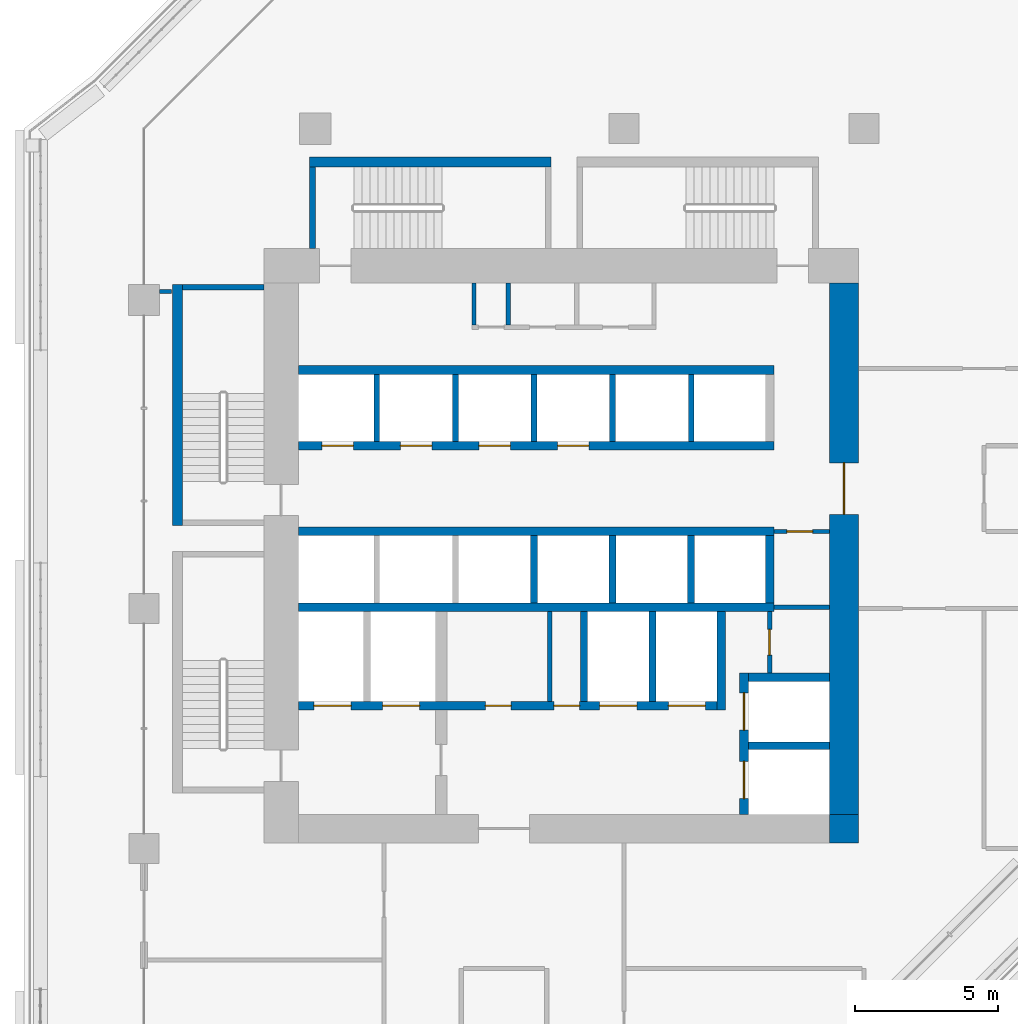
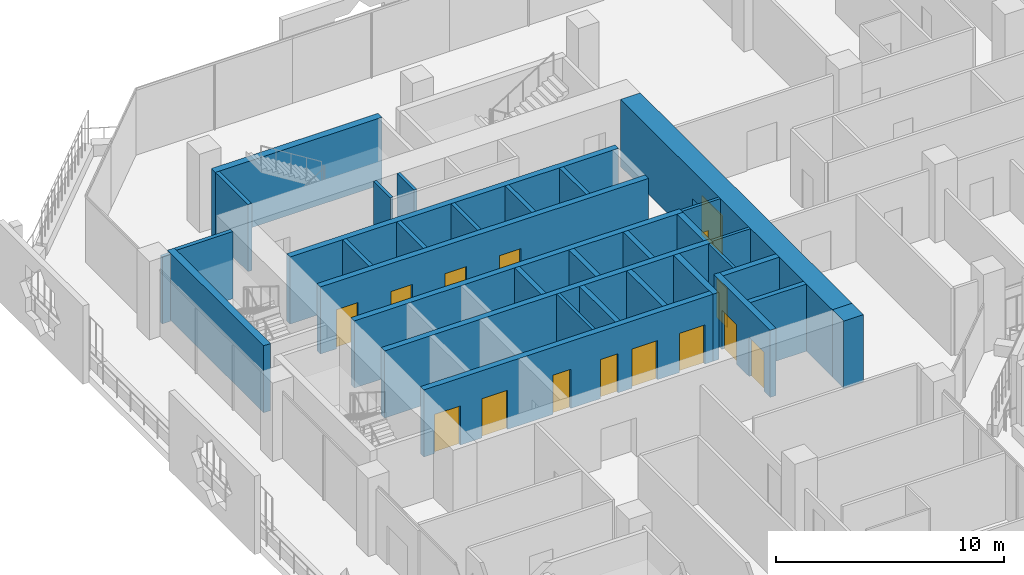
# One storey, part 14 of 25: 33 walls, 15 doors, 15 openings.
"""IFC4 building model written with IfcOpenShell, lengths in metres."""

from ifc_helpers import new_model, si_unit, direction, frame, frame_2d, origin, place, context, subcontext, project, spatial, rectangle, extrude, material, layer, layer_set, type_object, element, fill, save


model = new_model("IFC4")

# Units and contexts
model_context = context("Model", 3, precision=1e-05, world=origin(), true_north=direction((0.0, 1.0)))
body_context = subcontext(model_context, "Body", "Model", "MODEL_VIEW")
ifc_project = project(units=[si_unit("LENGTHUNIT", "METRE"), si_unit("AREAUNIT", "SQUARE_METRE"), si_unit("VOLUMEUNIT", "CUBIC_METRE"), si_unit("PLANEANGLEUNIT", "RADIAN"), si_unit("MASSUNIT", "GRAM", prefix="KILO")], contexts=[model_context])

# Site, building, storey
site_placement = place(None, origin())
site = spatial("IfcSite", under=ifc_project, at=site_placement, CompositionType="ELEMENT")
building_placement = place(site_placement, origin())
building = spatial("IfcBuilding", under=site, at=building_placement, Name="Kawkab Arch Medical Tower", CompositionType="ELEMENT")
storey_placement = place(building_placement, frame((0.0, 0.0, 136.60009765625)))
storey = spatial("IfcBuildingStorey", under=building, at=storey_placement, Name="L31", CompositionType="ELEMENT", Elevation=136.60009765625)

# Wall, opening, door
ifc_material_1 = material(Name="Concrete C60/75", Category="concrete")
ifc_layer_1 = layer(ifc_material_1, 1.0)
ifc_layer_set_1 = layer_set([ifc_layer_1], Name="Concrete C60/75")
wall_type_1 = type_object("IfcWallType", Name="Core ring wall 1000 C60/75", PredefinedType="SHEAR", material=ifc_layer_set_1)
wall_1_placement = place(storey_placement, frame((24.5, -24.0, 0.0), z_axis=(0.0, 0.0, 1.0), x_axis=(0.0, 1.0, 0.0)))
wall_1 = element("IfcWall", 1, at=wall_1_placement, inside=storey, type_object=wall_type_1, Name="L31 core wall", PredefinedType="SHEAR", context=body_context, shape_type="SweptSolid", body=[
    extrude(rectangle(XDim=18.60009765625, YDim=1.0, at=frame_2d((9.300048828125, 0.0))), origin(), (0.0, 0.0, 1.0), 3.599853515625),
])
opening_1_placement = place(wall_1_placement, frame((10.5, 0.0, 0.0)))
opening_1 = element("IfcOpeningElement", 2, at=opening_1_placement, cuts=wall_1, Name="Opening PD", PredefinedType="OPENING", context=body_context, shape_type="SweptSolid", body=[
    extrude(rectangle(XDim=1.800048828125, YDim=2.10009765625, at=frame_2d((0.89990234375, 1.050048828125))), frame((0.0, 0.510009765625, 0.0), z_axis=(0.0, -1.0, 0.0), x_axis=(1.0, 0.0, 0.0)), (0.0, 0.0, 1.0), 1.02001953125),
])
ifc_material_2 = material(Name="Hollow metal fire door leaf")
door_type_1 = type_object("IfcDoorType", Name="Core entrance doors 1800", OperationType="DOUBLE_DOOR_SINGLE_SWING", PredefinedType="DOOR", material=ifc_material_2)
door_1_placement = place(opening_1_placement, origin())
door_1 = element("IfcDoor", 3, at=door_1_placement, inside=storey, type_object=door_type_1, Name="L31 East entrance doors", OperationType="DOUBLE_DOOR_SINGLE_SWING", OverallHeight=2.10009765625, OverallWidth=1.800048828125, PredefinedType="DOOR", context=body_context, shape_type="SweptSolid", body=[
    extrude(rectangle(XDim=1.800048828125, YDim=2.10009765625, at=frame_2d((0.89990234375, 1.050048828125))), frame((0.0, 0.02490234375, 0.0), z_axis=(0.0, -1.0, 0.0), x_axis=(1.0, 0.0, 0.0)), (0.0, 0.0, 1.0), 0.050048828125),
])
fill(opening_1, door_1)

# Wall
wall_2_placement = place(storey_placement, frame((24.5, -25.0, 0.0), z_axis=(0.0, 0.0, 1.0), x_axis=(0.0, 1.0, 0.0)))
element("IfcWall", 4, at=wall_2_placement, inside=storey, type_object=wall_type_1, Name="L31 core wall", PredefinedType="SHEAR", context=body_context, shape_type="SweptSolid", body=[
    extrude(rectangle(XDim=1.0, YDim=1.0, at=frame_2d((0.5, 0.0))), origin(), (0.0, 0.0, 1.0), 3.599853515625),
])

# Wall, opening, door
ifc_material_3 = material(Name="Gypsum board on steel studs", Category="steel")
ifc_layer_2 = layer(ifc_material_3, 0.14990234375)
ifc_layer_set_2 = layer_set([ifc_layer_2], Name="Gypsum board on steel studs")
wall_type_2 = type_object("IfcWallType", Name="Core room partition 150", PredefinedType="PARTITIONING", material=ifc_layer_set_2)
wall_3_placement = place(storey_placement, frame((21.89990234375, -19.050048828125, 0.0), z_axis=(0.0, 0.0, 1.0), x_axis=(0.0, 1.0, 0.0)))
wall_3 = element("IfcWall", 5, at=wall_3_placement, inside=storey, type_object=wall_type_2, Name="L31 core room partition", PredefinedType="PARTITIONING", context=body_context, shape_type="SweptSolid", body=[
    extrude(rectangle(XDim=2.150146484375, YDim=0.14990234375, at=frame_2d((1.0751953125, 0.0))), origin(), (0.0, 0.0, 1.0), 3.599853515625),
])
opening_2_placement = place(wall_3_placement, frame((0.625, 0.0, 0.0)))
opening_2 = element("IfcOpeningElement", 6, at=opening_2_placement, cuts=wall_3, Name="Opening RD", PredefinedType="OPENING", context=body_context, shape_type="SweptSolid", body=[
    extrude(rectangle(XDim=0.89990234375, YDim=2.10009765625, at=frame_2d((0.449951171875, 1.050048828125))), frame((0.0, 0.0849609375, 0.0), z_axis=(0.0, -1.0, 0.0), x_axis=(1.0, 0.0, 0.0)), (0.0, 0.0, 1.0), 0.169921875),
])
ifc_material_4 = material(Name="Hollow metal fire door leaf")
door_type_2 = type_object("IfcDoorType", Name="Core room door 900", OperationType="SINGLE_SWING_LEFT", PredefinedType="DOOR", material=ifc_material_4)
door_2_placement = place(opening_2_placement, origin())
door_2 = element("IfcDoor", 7, at=door_2_placement, inside=storey, type_object=door_type_2, Name="L31 Accessible WC door", OperationType="SINGLE_SWING_LEFT", OverallHeight=2.10009765625, OverallWidth=0.89990234375, PredefinedType="DOOR", context=body_context, shape_type="SweptSolid", body=[
    extrude(rectangle(XDim=0.89990234375, YDim=2.10009765625, at=frame_2d((0.449951171875, 1.050048828125))), frame((0.0, 0.02490234375, 0.0), z_axis=(0.0, -1.0, 0.0), x_axis=(1.0, 0.0, 0.0)), (0.0, 0.0, 1.0), 0.050048828125),
])
fill(opening_2, door_2)

# Wall
wall_4_placement = place(storey_placement, frame((22.050048828125, -16.75, 0.0), z_axis=(0.0, 0.0, 1.0), x_axis=(1.0, 0.0, 0.0)))
element("IfcWall", 8, at=wall_4_placement, inside=storey, type_object=wall_type_2, Name="L31 core room partition", PredefinedType="PARTITIONING", context=body_context, shape_type="SweptSolid", body=[
    extrude(rectangle(XDim=1.949951171875, YDim=0.14990234375, at=frame_2d((0.97509765625, 0.0))), origin(), (0.0, 0.0, 1.0), 3.599853515625),
])

# Wall, opening, door
wall_5_placement = place(storey_placement, frame((22.050048828125, -14.10009765625, 0.0), z_axis=(0.0, 0.0, 1.0), x_axis=(1.0, 0.0, 0.0)))
wall_5 = element("IfcWall", 9, at=wall_5_placement, inside=storey, type_object=wall_type_2, Name="L31 core room partition", PredefinedType="PARTITIONING", context=body_context, shape_type="SweptSolid", body=[
    extrude(rectangle(XDim=1.949951171875, YDim=0.14990234375, at=frame_2d((0.97509765625, 0.0))), origin(), (0.0, 0.0, 1.0), 3.599853515625),
])
opening_3_placement = place(wall_5_placement, frame((0.449951171875, 0.0, 0.0)))
opening_3 = element("IfcOpeningElement", 10, at=opening_3_placement, cuts=wall_5, Name="Opening RD", PredefinedType="OPENING", context=body_context, shape_type="SweptSolid", body=[
    extrude(rectangle(XDim=0.89990234375, YDim=2.10009765625, at=frame_2d((0.449951171875, 1.050048828125))), frame((0.0, 0.0849609375, 0.0), z_axis=(0.0, -1.0, 0.0), x_axis=(1.0, 0.0, 0.0)), (0.0, 0.0, 1.0), 0.169921875),
])
door_3_placement = place(opening_3_placement, origin())
door_3 = element("IfcDoor", 11, at=door_3_placement, inside=storey, type_object=door_type_2, Name="L31 Comms room door", OperationType="SINGLE_SWING_LEFT", OverallHeight=2.10009765625, OverallWidth=0.89990234375, PredefinedType="DOOR", context=body_context, shape_type="SweptSolid", body=[
    extrude(rectangle(XDim=0.89990234375, YDim=2.10009765625, at=frame_2d((0.449951171875, 1.050048828125))), frame((0.0, 0.02490234375, 0.0), z_axis=(0.0, -1.0, 0.0), x_axis=(1.0, 0.0, 0.0)), (0.0, 0.0, 1.0), 0.050048828125),
])
fill(opening_3, door_3)

# Walls
for number, where, z_axis, x_axis, name in (
    (12, (11.550048828125, -6.875, 0.0), (0.0, 0.0, 1.0), (0.0, 1.0, 0.0), "L31 core room partition"),
    (13, (12.75, -6.875, 0.0), (0.0, 0.0, 1.0), (0.0, 1.0, 0.0), "L31 core room partition"),
):
    element("IfcWall", number, at=place(storey_placement, frame(where, z_axis=z_axis, x_axis=x_axis)), inside=storey, type_object=wall_type_2, Name=name, PredefinedType="PARTITIONING", context=body_context, shape_type="SweptSolid", body=[
        extrude(rectangle(XDim=1.47509765625, YDim=0.14990234375, at=frame_2d((0.737548828125, 0.0))), origin(), (0.0, 0.0, 1.0), 3.599853515625),
    ])
wall_6_placement = place(storey_placement, frame((14.199951171875, -20.050048828125, 0.0), z_axis=(0.0, 0.0, 1.0), x_axis=(0.0, 1.0, 0.0)))
element("IfcWall", 14, at=wall_6_placement, inside=storey, type_object=wall_type_2, Name="L31 core room partition", PredefinedType="PARTITIONING", context=body_context, shape_type="SweptSolid", body=[
    extrude(rectangle(XDim=3.150146484375, YDim=0.14990234375, at=frame_2d((1.5751953125, 0.0))), origin(), (0.0, 0.0, 1.0), 3.599853515625),
])
ifc_material_5 = material(Name="Concrete C60/75", Category="concrete")
ifc_layer_3 = layer(ifc_material_5, 0.25)
ifc_layer_set_3 = layer_set([ifc_layer_3], Name="Concrete C60/75")
wall_type_3 = type_object("IfcWallType", Name="Core shear wall 250 C60/75", PredefinedType="SHEAR", material=ifc_layer_set_3)
wall_7_placement = place(storey_placement, frame((21.14990234375, -21.60009765625, 0.0), z_axis=(0.0, 0.0, 1.0), x_axis=(1.0, 0.0, 0.0)))
element("IfcWall", 15, at=wall_7_placement, inside=storey, type_object=wall_type_3, Name="L31 core shear wall", PredefinedType="SHEAR", context=body_context, shape_type="SweptSolid", body=[
    extrude(rectangle(XDim=2.85009765625, YDim=0.25, at=frame_2d((1.425048828125, 0.0))), origin(), (0.0, 0.0, 1.0), 3.599853515625),
])
for number, where, z_axis, x_axis, name in (
    (16, (15.39990234375, -20.050048828125, 0.0), (0.0, 0.0, 1.0), (0.0, 1.0, 0.0), "L31 core shear wall"),
    (17, (17.800048828125, -20.050048828125, 0.0), (0.0, 0.0, 1.0), (0.0, 1.0, 0.0), "L31 core shear wall"),
):
    element("IfcWall", number, at=place(storey_placement, frame(where, z_axis=z_axis, x_axis=x_axis)), inside=storey, type_object=wall_type_3, Name=name, PredefinedType="SHEAR", context=body_context, shape_type="SweptSolid", body=[
        extrude(rectangle(XDim=3.150146484375, YDim=0.25, at=frame_2d((1.5751953125, 0.0))), origin(), (0.0, 0.0, 1.0), 3.599853515625),
    ])
for number, where, z_axis, x_axis, name in (
    (18, (13.64990234375, -16.60009765625, 0.0), (0.0, 0.0, 1.0), (0.0, 1.0, 0.0), "L31 core shear wall"),
    (19, (16.39990234375, -16.60009765625, 0.0), (0.0, 0.0, 1.0), (0.0, 1.0, 0.0), "L31 core shear wall"),
    (20, (19.14990234375, -16.60009765625, 0.0), (0.0, 0.0, 1.0), (0.0, 1.0, 0.0), "L31 core shear wall"),
):
    element("IfcWall", number, at=place(storey_placement, frame(where, z_axis=z_axis, x_axis=x_axis)), inside=storey, type_object=wall_type_3, Name=name, PredefinedType="SHEAR", context=body_context, shape_type="SweptSolid", body=[
        extrude(rectangle(XDim=2.35009765625, YDim=0.25, at=frame_2d((1.175048828125, 0.0))), origin(), (0.0, 0.0, 1.0), 3.599853515625),
    ])
ifc_material_6 = material(Name="Concrete C60/75", Category="concrete")
ifc_layer_4 = layer(ifc_material_6, 0.300048828125)
ifc_layer_set_4 = layer_set([ifc_layer_4], Name="Concrete C60/75")
wall_type_4 = type_object("IfcWallType", Name="Core shear wall 300 C60/75", PredefinedType="SHEAR", material=ifc_layer_set_4)
wall_8_placement = place(storey_placement, frame((5.39990234375, -8.449951171875, 0.0), z_axis=(0.0, 0.0, 1.0), x_axis=(1.0, 0.0, 0.0)))
element("IfcWall", 21, at=wall_8_placement, inside=storey, type_object=wall_type_4, Name="L31 core shear wall", PredefinedType="SHEAR", context=body_context, shape_type="SweptSolid", body=[
    extrude(rectangle(XDim=16.650146484375, YDim=0.300048828125, at=frame_2d((8.3251953125, 0.0))), origin(), (0.0, 0.0, 1.0), 3.599853515625),
])

# Wall, openings, doors
wall_9_placement = place(storey_placement, frame((5.39990234375, -11.10009765625, 0.0), z_axis=(0.0, 0.0, 1.0), x_axis=(1.0, 0.0, 0.0)))
wall_9 = element("IfcWall", 22, at=wall_9_placement, inside=storey, type_object=wall_type_4, Name="L31 core shear wall", PredefinedType="SHEAR", context=body_context, shape_type="SweptSolid", body=[
    extrude(rectangle(XDim=16.650146484375, YDim=0.300048828125, at=frame_2d((8.3251953125, 0.0))), origin(), (0.0, 0.0, 1.0), 3.599853515625),
])
opening_4_placement = place(wall_9_placement, frame((0.824951171875, 0.0, 0.0)))
opening_4 = element("IfcOpeningElement", 23, at=opening_4_placement, cuts=wall_9, Name="Opening LD1", PredefinedType="OPENING", context=body_context, shape_type="SweptSolid", body=[
    extrude(rectangle(XDim=1.10009765625, YDim=2.10009765625, at=frame_2d((0.550048828125, 1.050048828125))), frame((0.0, 0.159912109375, 0.0), z_axis=(0.0, -1.0, 0.0), x_axis=(1.0, 0.0, 0.0)), (0.0, 0.0, 1.0), 0.320068359375),
])
opening_5_placement = place(wall_9_placement, frame((3.574951171875, 0.0, 0.0)))
opening_5 = element("IfcOpeningElement", 24, at=opening_5_placement, cuts=wall_9, Name="Opening LD1", PredefinedType="OPENING", context=body_context, shape_type="SweptSolid", body=[
    extrude(rectangle(XDim=1.10009765625, YDim=2.10009765625, at=frame_2d((0.550048828125, 1.050048828125))), frame((0.0, 0.159912109375, 0.0), z_axis=(0.0, -1.0, 0.0), x_axis=(1.0, 0.0, 0.0)), (0.0, 0.0, 1.0), 0.320068359375),
])
opening_6_placement = place(wall_9_placement, frame((6.324951171875, 0.0, 0.0)))
opening_6 = element("IfcOpeningElement", 25, at=opening_6_placement, cuts=wall_9, Name="Opening LD1", PredefinedType="OPENING", context=body_context, shape_type="SweptSolid", body=[
    extrude(rectangle(XDim=1.10009765625, YDim=2.10009765625, at=frame_2d((0.550048828125, 1.050048828125))), frame((0.0, 0.159912109375, 0.0), z_axis=(0.0, -1.0, 0.0), x_axis=(1.0, 0.0, 0.0)), (0.0, 0.0, 1.0), 0.320068359375),
])
opening_7_placement = place(wall_9_placement, frame((9.074951171875, 0.0, 0.0)))
opening_7 = element("IfcOpeningElement", 26, at=opening_7_placement, cuts=wall_9, Name="Opening LD1", PredefinedType="OPENING", context=body_context, shape_type="SweptSolid", body=[
    extrude(rectangle(XDim=1.10009765625, YDim=2.10009765625, at=frame_2d((0.550048828125, 1.050048828125))), frame((0.0, 0.159912109375, 0.0), z_axis=(0.0, -1.0, 0.0), x_axis=(1.0, 0.0, 0.0)), (0.0, 0.0, 1.0), 0.320068359375),
])
ifc_material_7 = material(Name="Stainless steel lift door leaf", Category="steel")
door_type_3 = type_object("IfcDoorType", Name="Lift landing door 1100", OperationType="DOUBLE_DOOR_SLIDING", PredefinedType="DOOR", material=ifc_material_7)
door_4_placement = place(opening_4_placement, origin())
door_4 = element("IfcDoor", 27, at=door_4_placement, inside=storey, type_object=door_type_3, Name="L31 Lift landing door LP1", OperationType="DOUBLE_DOOR_SLIDING", OverallHeight=2.10009765625, OverallWidth=1.10009765625, PredefinedType="DOOR", context=body_context, shape_type="SweptSolid", body=[
    extrude(rectangle(XDim=1.10009765625, YDim=2.10009765625, at=frame_2d((0.550048828125, 1.050048828125))), frame((0.0, 0.02490234375, 0.0), z_axis=(0.0, -1.0, 0.0), x_axis=(1.0, 0.0, 0.0)), (0.0, 0.0, 1.0), 0.050048828125),
])
fill(opening_4, door_4)
door_5_placement = place(opening_5_placement, origin())
door_5 = element("IfcDoor", 28, at=door_5_placement, inside=storey, type_object=door_type_3, Name="L31 Lift landing door LP2", OperationType="DOUBLE_DOOR_SLIDING", OverallHeight=2.10009765625, OverallWidth=1.10009765625, PredefinedType="DOOR", context=body_context, shape_type="SweptSolid", body=[
    extrude(rectangle(XDim=1.10009765625, YDim=2.10009765625, at=frame_2d((0.550048828125, 1.050048828125))), frame((0.0, 0.02490234375, 0.0), z_axis=(0.0, -1.0, 0.0), x_axis=(1.0, 0.0, 0.0)), (0.0, 0.0, 1.0), 0.050048828125),
])
fill(opening_5, door_5)
door_6_placement = place(opening_6_placement, origin())
door_6 = element("IfcDoor", 29, at=door_6_placement, inside=storey, type_object=door_type_3, Name="L31 Lift landing door LP3", OperationType="DOUBLE_DOOR_SLIDING", OverallHeight=2.10009765625, OverallWidth=1.10009765625, PredefinedType="DOOR", context=body_context, shape_type="SweptSolid", body=[
    extrude(rectangle(XDim=1.10009765625, YDim=2.10009765625, at=frame_2d((0.550048828125, 1.050048828125))), frame((0.0, 0.02490234375, 0.0), z_axis=(0.0, -1.0, 0.0), x_axis=(1.0, 0.0, 0.0)), (0.0, 0.0, 1.0), 0.050048828125),
])
fill(opening_6, door_6)
door_7_placement = place(opening_7_placement, origin())
door_7 = element("IfcDoor", 30, at=door_7_placement, inside=storey, type_object=door_type_3, Name="L31 Lift landing door LP4", OperationType="DOUBLE_DOOR_SLIDING", OverallHeight=2.10009765625, OverallWidth=1.10009765625, PredefinedType="DOOR", context=body_context, shape_type="SweptSolid", body=[
    extrude(rectangle(XDim=1.10009765625, YDim=2.10009765625, at=frame_2d((0.550048828125, 1.050048828125))), frame((0.0, 0.02490234375, 0.0), z_axis=(0.0, -1.0, 0.0), x_axis=(1.0, 0.0, 0.0)), (0.0, 0.0, 1.0), 0.050048828125),
])
fill(opening_7, door_7)

# Walls
for number, where, z_axis, x_axis, name in (
    (31, (5.39990234375, -14.10009765625, 0.0), (0.0, 0.0, 1.0), (1.0, 0.0, 0.0), "L31 core shear wall"),
    (32, (5.39990234375, -16.75, 0.0), (0.0, 0.0, 1.0), (1.0, 0.0, 0.0), "L31 core shear wall"),
):
    element("IfcWall", number, at=place(storey_placement, frame(where, z_axis=z_axis, x_axis=x_axis)), inside=storey, type_object=wall_type_4, Name=name, PredefinedType="SHEAR", context=body_context, shape_type="SweptSolid", body=[
        extrude(rectangle(XDim=16.650146484375, YDim=0.300048828125, at=frame_2d((8.3251953125, 0.0))), origin(), (0.0, 0.0, 1.0), 3.599853515625),
    ])

# Wall, openings, doors
wall_10_placement = place(storey_placement, frame((5.39990234375, -20.199951171875, 0.0), z_axis=(0.0, 0.0, 1.0), x_axis=(1.0, 0.0, 0.0)))
wall_10 = element("IfcWall", 33, at=wall_10_placement, inside=storey, type_object=wall_type_4, Name="L31 core shear wall", PredefinedType="SHEAR", context=body_context, shape_type="SweptSolid", body=[
    extrude(rectangle(XDim=14.650146484375, YDim=0.300048828125, at=frame_2d((7.3251953125, 0.0))), origin(), (0.0, 0.0, 1.0), 3.599853515625),
])
opening_8_placement = place(wall_10_placement, frame((10.550048828125, 0.0, 0.0)))
opening_8 = element("IfcOpeningElement", 34, at=opening_8_placement, cuts=wall_10, Name="Opening LD2", PredefinedType="OPENING", context=body_context, shape_type="SweptSolid", body=[
    extrude(rectangle(XDim=1.300048828125, YDim=2.10009765625, at=frame_2d((0.64990234375, 1.050048828125))), frame((0.0, 0.159912109375, 0.0), z_axis=(0.0, -1.0, 0.0), x_axis=(1.0, 0.0, 0.0)), (0.0, 0.0, 1.0), 0.320068359375),
])
opening_9_placement = place(wall_10_placement, frame((12.949951171875, 0.0, 0.0)))
opening_9 = element("IfcOpeningElement", 35, at=opening_9_placement, cuts=wall_10, Name="Opening LD2", PredefinedType="OPENING", context=body_context, shape_type="SweptSolid", body=[
    extrude(rectangle(XDim=1.300048828125, YDim=2.10009765625, at=frame_2d((0.64990234375, 1.050048828125))), frame((0.0, 0.159912109375, 0.0), z_axis=(0.0, -1.0, 0.0), x_axis=(1.0, 0.0, 0.0)), (0.0, 0.0, 1.0), 0.320068359375),
])
opening_10_placement = place(wall_10_placement, frame((0.550048828125, 0.0, 0.0)))
opening_10 = element("IfcOpeningElement", 36, at=opening_10_placement, cuts=wall_10, Name="Opening LD2", PredefinedType="OPENING", context=body_context, shape_type="SweptSolid", body=[
    extrude(rectangle(XDim=1.300048828125, YDim=2.10009765625, at=frame_2d((0.64990234375, 1.050048828125))), frame((0.0, 0.159912109375, 0.0), z_axis=(0.0, -1.0, 0.0), x_axis=(1.0, 0.0, 0.0)), (0.0, 0.0, 1.0), 0.320068359375),
])
opening_11_placement = place(wall_10_placement, frame((2.949951171875, 0.0, 0.0)))
opening_11 = element("IfcOpeningElement", 37, at=opening_11_placement, cuts=wall_10, Name="Opening LD2", PredefinedType="OPENING", context=body_context, shape_type="SweptSolid", body=[
    extrude(rectangle(XDim=1.300048828125, YDim=2.10009765625, at=frame_2d((0.64990234375, 1.050048828125))), frame((0.0, 0.159912109375, 0.0), z_axis=(0.0, -1.0, 0.0), x_axis=(1.0, 0.0, 0.0)), (0.0, 0.0, 1.0), 0.320068359375),
])
opening_12_placement = place(wall_10_placement, frame((6.550048828125, 0.0, 0.0)))
opening_12 = element("IfcOpeningElement", 38, at=opening_12_placement, cuts=wall_10, Name="Opening RD", PredefinedType="OPENING", context=body_context, shape_type="SweptSolid", body=[
    extrude(rectangle(XDim=0.89990234375, YDim=2.10009765625, at=frame_2d((0.449951171875, 1.050048828125))), frame((0.0, 0.159912109375, 0.0), z_axis=(0.0, -1.0, 0.0), x_axis=(1.0, 0.0, 0.0)), (0.0, 0.0, 1.0), 0.320068359375),
])
opening_13_placement = place(wall_10_placement, frame((8.949951171875, 0.0, 0.0)))
opening_13 = element("IfcOpeningElement", 39, at=opening_13_placement, cuts=wall_10, Name="Opening RD", PredefinedType="OPENING", context=body_context, shape_type="SweptSolid", body=[
    extrude(rectangle(XDim=0.89990234375, YDim=2.10009765625, at=frame_2d((0.449951171875, 1.050048828125))), frame((0.0, 0.159912109375, 0.0), z_axis=(0.0, -1.0, 0.0), x_axis=(1.0, 0.0, 0.0)), (0.0, 0.0, 1.0), 0.320068359375),
])
door_8_placement = place(opening_12_placement, origin())
door_8 = element("IfcDoor", 40, at=door_8_placement, inside=storey, type_object=door_type_2, Name="L31 Ward pantry door", OperationType="SINGLE_SWING_LEFT", OverallHeight=2.10009765625, OverallWidth=0.89990234375, PredefinedType="DOOR", context=body_context, shape_type="SweptSolid", body=[
    extrude(rectangle(XDim=0.89990234375, YDim=2.10009765625, at=frame_2d((0.449951171875, 1.050048828125))), frame((0.0, 0.02490234375, 0.0), z_axis=(0.0, -1.0, 0.0), x_axis=(1.0, 0.0, 0.0)), (0.0, 0.0, 1.0), 0.050048828125),
])
fill(opening_12, door_8)
door_9_placement = place(opening_13_placement, origin())
door_9 = element("IfcDoor", 41, at=door_9_placement, inside=storey, type_object=door_type_2, Name="L31 Linen store door", OperationType="SINGLE_SWING_LEFT", OverallHeight=2.10009765625, OverallWidth=0.89990234375, PredefinedType="DOOR", context=body_context, shape_type="SweptSolid", body=[
    extrude(rectangle(XDim=0.89990234375, YDim=2.10009765625, at=frame_2d((0.449951171875, 1.050048828125))), frame((0.0, 0.02490234375, 0.0), z_axis=(0.0, -1.0, 0.0), x_axis=(1.0, 0.0, 0.0)), (0.0, 0.0, 1.0), 0.050048828125),
])
fill(opening_13, door_9)
ifc_material_8 = material(Name="Stainless steel lift door leaf", Category="steel")
door_type_4 = type_object("IfcDoorType", Name="Lift landing door 1300", OperationType="DOUBLE_DOOR_SLIDING", PredefinedType="DOOR", material=ifc_material_8)
door_10_placement = place(opening_8_placement, origin())
door_10 = element("IfcDoor", 42, at=door_10_placement, inside=storey, type_object=door_type_4, Name="L31 Lift landing door BD3", OperationType="DOUBLE_DOOR_SLIDING", OverallHeight=2.10009765625, OverallWidth=1.300048828125, PredefinedType="DOOR", context=body_context, shape_type="SweptSolid", body=[
    extrude(rectangle(XDim=1.300048828125, YDim=2.10009765625, at=frame_2d((0.64990234375, 1.050048828125))), frame((0.0, 0.02490234375, 0.0), z_axis=(0.0, -1.0, 0.0), x_axis=(1.0, 0.0, 0.0)), (0.0, 0.0, 1.0), 0.050048828125),
])
fill(opening_8, door_10)
door_11_placement = place(opening_9_placement, origin())
door_11 = element("IfcDoor", 43, at=door_11_placement, inside=storey, type_object=door_type_4, Name="L31 Lift landing door BD4", OperationType="DOUBLE_DOOR_SLIDING", OverallHeight=2.10009765625, OverallWidth=1.300048828125, PredefinedType="DOOR", context=body_context, shape_type="SweptSolid", body=[
    extrude(rectangle(XDim=1.300048828125, YDim=2.10009765625, at=frame_2d((0.64990234375, 1.050048828125))), frame((0.0, 0.02490234375, 0.0), z_axis=(0.0, -1.0, 0.0), x_axis=(1.0, 0.0, 0.0)), (0.0, 0.0, 1.0), 0.050048828125),
])
fill(opening_9, door_11)
door_12_placement = place(opening_10_placement, origin())
door_12 = element("IfcDoor", 44, at=door_12_placement, inside=storey, type_object=door_type_4, Name="L31 Lift landing door FL1", OperationType="DOUBLE_DOOR_SLIDING", OverallHeight=2.10009765625, OverallWidth=1.300048828125, PredefinedType="DOOR", context=body_context, shape_type="SweptSolid", body=[
    extrude(rectangle(XDim=1.300048828125, YDim=2.10009765625, at=frame_2d((0.64990234375, 1.050048828125))), frame((0.0, 0.02490234375, 0.0), z_axis=(0.0, -1.0, 0.0), x_axis=(1.0, 0.0, 0.0)), (0.0, 0.0, 1.0), 0.050048828125),
])
fill(opening_10, door_12)
door_13_placement = place(opening_11_placement, origin())
door_13 = element("IfcDoor", 45, at=door_13_placement, inside=storey, type_object=door_type_4, Name="L31 Lift landing door FL2", OperationType="DOUBLE_DOOR_SLIDING", OverallHeight=2.10009765625, OverallWidth=1.300048828125, PredefinedType="DOOR", context=body_context, shape_type="SweptSolid", body=[
    extrude(rectangle(XDim=1.300048828125, YDim=2.10009765625, at=frame_2d((0.64990234375, 1.050048828125))), frame((0.0, 0.02490234375, 0.0), z_axis=(0.0, -1.0, 0.0), x_axis=(1.0, 0.0, 0.0)), (0.0, 0.0, 1.0), 0.050048828125),
])
fill(opening_11, door_13)

# Walls
wall_11_placement = place(storey_placement, frame((20.199951171875, -20.35009765625, 0.0), z_axis=(0.0, 0.0, 1.0), x_axis=(0.0, 1.0, 0.0)))
element("IfcWall", 46, at=wall_11_placement, inside=storey, type_object=wall_type_4, Name="L31 core shear wall", PredefinedType="SHEAR", context=body_context, shape_type="SweptSolid", body=[
    extrude(rectangle(XDim=3.4501953125, YDim=0.300048828125, at=frame_2d((1.72509765625, 0.0))), origin(), (0.0, 0.0, 1.0), 3.599853515625),
])
wall_12_placement = place(storey_placement, frame((21.89990234375, -16.60009765625, 0.0), z_axis=(0.0, 0.0, 1.0), x_axis=(0.0, 1.0, 0.0)))
element("IfcWall", 47, at=wall_12_placement, inside=storey, type_object=wall_type_4, Name="L31 core shear wall", PredefinedType="SHEAR", context=body_context, shape_type="SweptSolid", body=[
    extrude(rectangle(XDim=2.35009765625, YDim=0.300048828125, at=frame_2d((1.175048828125, 0.0))), origin(), (0.0, 0.0, 1.0), 3.599853515625),
])
wall_13_placement = place(storey_placement, frame((21.14990234375, -19.199951171875, 0.0), z_axis=(0.0, 0.0, 1.0), x_axis=(1.0, 0.0, 0.0)))
element("IfcWall", 48, at=wall_13_placement, inside=storey, type_object=wall_type_4, Name="L31 core shear wall", PredefinedType="SHEAR", context=body_context, shape_type="SweptSolid", body=[
    extrude(rectangle(XDim=2.85009765625, YDim=0.300048828125, at=frame_2d((1.425048828125, 0.0))), origin(), (0.0, 0.0, 1.0), 3.599853515625),
])

# Wall, openings, doors
wall_14_placement = place(storey_placement, frame((21.0, -24.0, 0.0), z_axis=(0.0, 0.0, 1.0), x_axis=(0.0, 1.0, 0.0)))
wall_14 = element("IfcWall", 49, at=wall_14_placement, inside=storey, type_object=wall_type_4, Name="L31 core shear wall", PredefinedType="SHEAR", context=body_context, shape_type="SweptSolid", body=[
    extrude(rectangle(XDim=4.949951171875, YDim=0.300048828125, at=frame_2d((2.47509765625, 0.0))), origin(), (0.0, 0.0, 1.0), 3.599853515625),
])
opening_14_placement = place(wall_14_placement, frame((2.949951171875, 0.0, 0.0)))
opening_14 = element("IfcOpeningElement", 50, at=opening_14_placement, cuts=wall_14, Name="Opening LD2", PredefinedType="OPENING", context=body_context, shape_type="SweptSolid", body=[
    extrude(rectangle(XDim=1.300048828125, YDim=2.10009765625, at=frame_2d((0.64990234375, 1.050048828125))), frame((0.0, 0.159912109375, 0.0), z_axis=(0.0, -1.0, 0.0), x_axis=(1.0, 0.0, 0.0)), (0.0, 0.0, 1.0), 0.320068359375),
])
opening_15_placement = place(wall_14_placement, frame((0.550048828125, 0.0, 0.0)))
opening_15 = element("IfcOpeningElement", 51, at=opening_15_placement, cuts=wall_14, Name="Opening LD2", PredefinedType="OPENING", context=body_context, shape_type="SweptSolid", body=[
    extrude(rectangle(XDim=1.300048828125, YDim=2.10009765625, at=frame_2d((0.64990234375, 1.050048828125))), frame((0.0, 0.159912109375, 0.0), z_axis=(0.0, -1.0, 0.0), x_axis=(1.0, 0.0, 0.0)), (0.0, 0.0, 1.0), 0.320068359375),
])
door_14_placement = place(opening_14_placement, origin())
door_14 = element("IfcDoor", 52, at=door_14_placement, inside=storey, type_object=door_type_4, Name="L31 Lift landing door BD1", OperationType="DOUBLE_DOOR_SLIDING", OverallHeight=2.10009765625, OverallWidth=1.300048828125, PredefinedType="DOOR", context=body_context, shape_type="SweptSolid", body=[
    extrude(rectangle(XDim=1.300048828125, YDim=2.10009765625, at=frame_2d((0.64990234375, 1.050048828125))), frame((0.0, 0.02490234375, 0.0), z_axis=(0.0, -1.0, 0.0), x_axis=(1.0, 0.0, 0.0)), (0.0, 0.0, 1.0), 0.050048828125),
])
fill(opening_14, door_14)
door_15_placement = place(opening_15_placement, origin())
door_15 = element("IfcDoor", 53, at=door_15_placement, inside=storey, type_object=door_type_4, Name="L31 Lift landing door BD2", OperationType="DOUBLE_DOOR_SLIDING", OverallHeight=2.10009765625, OverallWidth=1.300048828125, PredefinedType="DOOR", context=body_context, shape_type="SweptSolid", body=[
    extrude(rectangle(XDim=1.300048828125, YDim=2.10009765625, at=frame_2d((0.64990234375, 1.050048828125))), frame((0.0, 0.02490234375, 0.0), z_axis=(0.0, -1.0, 0.0), x_axis=(1.0, 0.0, 0.0)), (0.0, 0.0, 1.0), 0.050048828125),
])
fill(opening_15, door_15)

# Walls
ifc_material_9 = material(Name="Dense concrete blockwork", Category="masonry")
ifc_layer_5 = layer(ifc_material_9, 0.199951171875)
ifc_layer_set_5 = layer_set([ifc_layer_5], Name="Dense concrete blockwork")
wall_type_5 = type_object("IfcWallType", Name="Lift shaft partition 200", PredefinedType="PARTITIONING", material=ifc_layer_set_5)
for number, where, z_axis, x_axis, name in (
    (54, (8.14990234375, -10.949951171875, 0.0), (0.0, 0.0, 1.0), (0.0, 1.0, 0.0), "L31 lift shaft partition"),
    (55, (10.89990234375, -10.949951171875, 0.0), (0.0, 0.0, 1.0), (0.0, 1.0, 0.0), "L31 lift shaft partition"),
    (56, (13.64990234375, -10.949951171875, 0.0), (0.0, 0.0, 1.0), (0.0, 1.0, 0.0), "L31 lift shaft partition"),
    (57, (16.39990234375, -10.949951171875, 0.0), (0.0, 0.0, 1.0), (0.0, 1.0, 0.0), "L31 lift shaft partition"),
    (58, (19.14990234375, -10.949951171875, 0.0), (0.0, 0.0, 1.0), (0.0, 1.0, 0.0), "L31 lift shaft partition"),
):
    element("IfcWall", number, at=place(storey_placement, frame(where, z_axis=z_axis, x_axis=x_axis)), inside=storey, type_object=wall_type_5, Name=name, PredefinedType="PARTITIONING", context=body_context, shape_type="SweptSolid", body=[
        extrude(rectangle(XDim=2.349853515625, YDim=0.199951171875, at=frame_2d((1.1748046875, 0.0))), origin(), (0.0, 0.0, 1.0), 3.599853515625),
    ])
ifc_material_10 = material(Name="Gypsum board partition on steel studs, mineral wool", Category="steel")
ifc_layer_6 = layer(ifc_material_10, 0.14990234375)
ifc_layer_set_6 = layer_set([ifc_layer_6], Name="Gypsum board partition on steel studs, mineral wool")
wall_type_6 = type_object("IfcWallType", Name="Partition 150", PredefinedType="PARTITIONING", material=ifc_layer_set_6)
wall_15_placement = place(storey_placement, frame((0.550048828125, -5.699951171875, 0.0), z_axis=(0.0, 0.0, 1.0), x_axis=(1.0, 0.0, 0.0)))
element("IfcWall", 59, at=wall_15_placement, inside=storey, type_object=wall_type_6, Name="Partition 150 w051", PredefinedType="PARTITIONING", context=body_context, shape_type="SweptSolid", body=[
    extrude(rectangle(XDim=0.419921875, YDim=0.14990234375, at=frame_2d((0.2099609375, 0.0))), origin(), (0.0, 0.0, 1.0), 3.599853515625),
])
ifc_material_11 = material(Name="Concrete C50/60", Category="concrete")
ifc_layer_7 = layer(ifc_material_11, 0.199951171875)
ifc_layer_set_7 = layer_set([ifc_layer_7], Name="Concrete C50/60")
wall_type_7 = type_object("IfcWallType", Name="Stair enclosure wall 200 C50/60", PredefinedType="SHEAR", material=ifc_layer_set_7)
for number, where, z_axis, x_axis, name in (
    (60, (1.35009765625, -5.550048828125, 0.0), (0.0, 0.0, 1.0), (1.0, 0.0, 0.0), "L31 stair enclosure wall"),
    (61, (5.89990234375, -4.199951171875, 0.0), (0.0, 0.0, 1.0), (0.0, 1.0, 0.0), "L31 stair enclosure wall"),
):
    element("IfcWall", number, at=place(storey_placement, frame(where, z_axis=z_axis, x_axis=x_axis)), inside=storey, type_object=wall_type_7, Name=name, PredefinedType="SHEAR", context=body_context, shape_type="SweptSolid", body=[
        extrude(rectangle(XDim=2.849853515625, YDim=0.199951171875, at=frame_2d((1.4248046875, 0.0))), origin(), (0.0, 0.0, 1.0), 3.599853515625),
    ])
ifc_material_12 = material(Name="Concrete C50/60", Category="concrete")
ifc_layer_8 = layer(ifc_material_12, 0.35009765625)
ifc_layer_set_8 = layer_set([ifc_layer_8], Name="Concrete C50/60")
wall_type_8 = type_object("IfcWallType", Name="Stair enclosure wall 350 C50/60", PredefinedType="SHEAR", material=ifc_layer_set_8)
for number, where, z_axis, x_axis, name in (
    (62, (1.175048828125, -13.89990234375, 0.0), (0.0, 0.0, 1.0), (0.0, 1.0, 0.0), "L31 stair enclosure wall"),
    (63, (5.800048828125, -1.175048828125, 0.0), (0.0, 0.0, 1.0), (1.0, 0.0, 0.0), "L31 stair enclosure wall"),
):
    element("IfcWall", number, at=place(storey_placement, frame(where, z_axis=z_axis, x_axis=x_axis)), inside=storey, type_object=wall_type_8, Name=name, PredefinedType="SHEAR", context=body_context, shape_type="SweptSolid", body=[
        extrude(rectangle(XDim=8.449951171875, YDim=0.35009765625, at=frame_2d((4.22509765625, 0.0))), origin(), (0.0, 0.0, 1.0), 3.599853515625),
    ])

save(model, "model.ifc")
